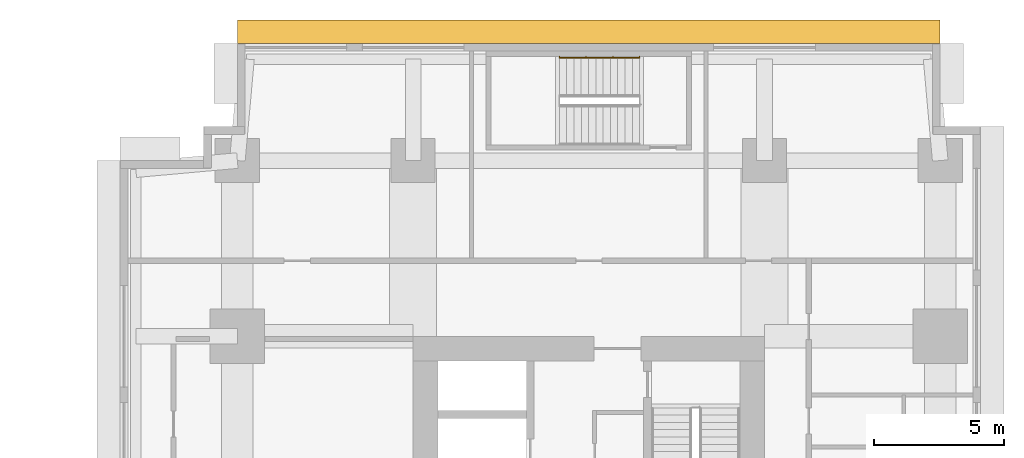
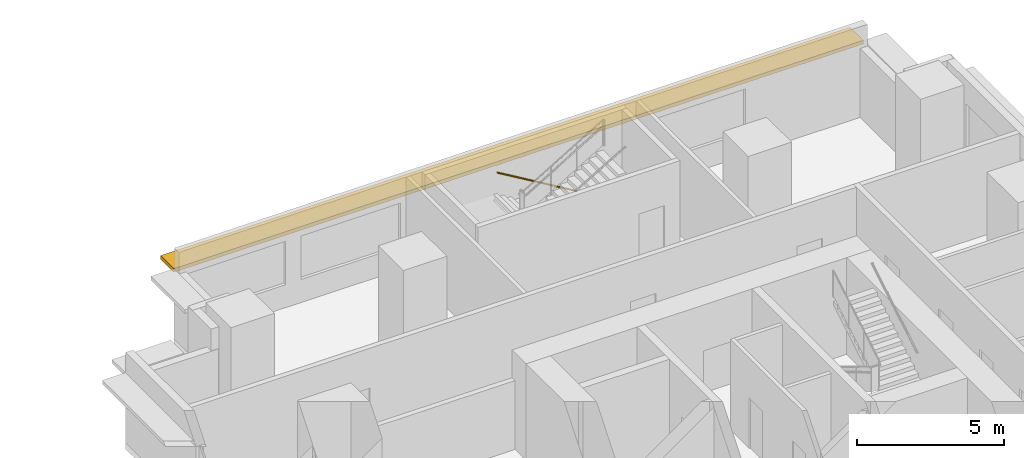
# One storey, part 11 of 11: 1 railing, 1 shading device.
"""IFC4 building model written with IfcOpenShell, lengths in metres."""

import ifcopenshell
import ifcopenshell.guid

model = None  # the IFC model being written
_history = None  # IfcOwnerHistory: only IFC2X3 demands one
_inside = {}  # id of a spatial element -> (the spatial element, [elements in it])
_under = {}  # id of a project, library or spatial element -> (it, [spatial elements below it])
_declared = {}  # id of a project -> (the project, [libraries it declares])
_typed = {}  # id of a type object -> (the type object, [elements of that type])
_made_of = {}  # id of a material, layer set ... -> (it, [elements and type objects made of it])


def new_model(schema):
    """Start an empty IFC model of exactly this schema.

    Asked for "IFC4X3", IfcOpenShell would pick the latest addendum, in which some entities
    have other attributes; the version numbers below select the first issue.
    IFC2X3 requires an IfcOwnerHistory on every rooted entity: one is made here for all.
    """
    global model, _history
    if schema == "IFC4X3":
        model = ifcopenshell.file(schema_version=(4, 3, 0, 0))
    else:
        model = ifcopenshell.file(schema=schema)
    _inside.clear()
    _under.clear()
    _declared.clear()
    _typed.clear()
    _made_of.clear()
    _history = None
    if model.schema == "IFC2X3":
        org = make("IfcOrganization", Name="unknown")
        user = make(
            "IfcPersonAndOrganization",
            ThePerson=make("IfcPerson", FamilyName="unknown"),
            TheOrganization=org,
        )
        app = make(
            "IfcApplication",
            ApplicationDeveloper=org,
            Version="unknown",
            ApplicationFullName="unknown",
            ApplicationIdentifier="unknown",
        )
        _history = make(
            "IfcOwnerHistory",
            OwningUser=user,
            OwningApplication=app,
            ChangeAction="ADDED",
            CreationDate=0,
        )
    return model


def make(cls, **values):
    """One entity of the class cls with the attributes given. An attribute that is None is left unset."""
    return model.create_entity(
        cls, **{name: value for name, value in values.items() if value is not None}
    )


def rooted(cls, **values):
    """An entity with a GlobalId (a new one), such as an element, a storey or a relation."""
    return make(cls, GlobalId=ifcopenshell.guid.new(), OwnerHistory=_history, **values)


def si_unit(unit_type, name, prefix=None):
    """IfcSIUnit, for example si_unit("LENGTHUNIT", "METRE", prefix="MILLI")."""
    return make("IfcSIUnit", UnitType=unit_type, Prefix=prefix, Name=name)


def assignment(units):
    """IfcUnitAssignment: the units of a project."""
    return None if units is None else make("IfcUnitAssignment", Units=units)


def point(xyz):
    """IfcCartesianPoint."""
    return None if xyz is None else make("IfcCartesianPoint", Coordinates=xyz)


def direction(xyz):
    """IfcDirection."""
    return None if xyz is None else make("IfcDirection", DirectionRatios=xyz)


def frame(location, z_axis=None, x_axis=None):
    """IfcAxis2Placement3D, a coordinate frame: its origin and axes. An axis left out is left unset."""
    return make(
        "IfcAxis2Placement3D",
        Location=point(location),
        Axis=direction(z_axis),
        RefDirection=direction(x_axis),
    )


def frame_2d(location, x_axis=None):
    """IfcAxis2Placement2D, a coordinate frame in the plane: its origin and x axis."""
    return make(
        "IfcAxis2Placement2D", Location=point(location), RefDirection=direction(x_axis)
    )


def origin():
    """The frame at (0, 0, 0) with its axes left unset."""
    return frame((0.0, 0.0, 0.0))


def origin_2d():
    """The frame at (0, 0) in the plane with its x axis left unset."""
    return frame_2d((0.0, 0.0))


def place(relative_to, where):
    """IfcLocalPlacement: puts the frame where relative to a parent placement (None: the world)."""
    return make(
        "IfcLocalPlacement", PlacementRelTo=relative_to, RelativePlacement=where
    )


def context(
    kind, dimensions, precision=None, world=None, true_north=None, identifier=None
):
    """IfcGeometricRepresentationContext, for example the 3D "Model" context."""
    return make(
        "IfcGeometricRepresentationContext",
        ContextIdentifier=identifier,
        ContextType=kind,
        CoordinateSpaceDimension=dimensions,
        Precision=precision,
        WorldCoordinateSystem=world,
        TrueNorth=true_north,
    )


def subcontext(parent, identifier, kind, view, scale=None):
    """IfcGeometricRepresentationSubContext, for example "Body" below "Model"."""
    return make(
        "IfcGeometricRepresentationSubContext",
        ContextIdentifier=identifier,
        ContextType=kind,
        ParentContext=parent,
        TargetScale=scale,
        TargetView=view,
    )


def project(units=None, contexts=None):
    """IfcProject with its units and contexts."""
    return rooted(
        "IfcProject",
        Name="project",
        RepresentationContexts=contexts,
        UnitsInContext=assignment(units),
    )


def spatial(cls, under=None, at=None, **own):
    """A site, building, storey or space (cls), placed at a placement, below another one or the project."""
    s = rooted(cls, ObjectPlacement=at, **own)
    if under is not None:
        _under.setdefault(under.id(), (under, []))[1].append(s)
    return s


def profile(cls, at=None, kind="AREA", **sizes):
    """A parametric profile (cls). Its sizes go by their IFC names, for example OverallWidth=200.0."""
    return make(cls, ProfileType=kind, Position=at, **sizes)


def rectangle(**sizes):
    """IfcRectangleProfileDef."""
    return profile("IfcRectangleProfileDef", **sizes)


def circle(**sizes):
    """IfcCircleProfileDef."""
    return profile("IfcCircleProfileDef", **sizes)


def extrude(swept, where, along, depth):
    """IfcExtrudedAreaSolid: the profile swept, set in the frame where, extruded along a direction by depth."""
    return make(
        "IfcExtrudedAreaSolid",
        SweptArea=swept,
        Position=where,
        ExtrudedDirection=direction(along),
        Depth=depth,
    )


def shape(context_of_items, identifier, shape_type, items):
    """IfcShapeRepresentation: the items that make up one representation, for example the "Body"."""
    return make(
        "IfcShapeRepresentation",
        ContextOfItems=context_of_items,
        RepresentationIdentifier=identifier,
        RepresentationType=shape_type,
        Items=items,
    )


def material(Name=None, Category=None):
    """IfcMaterial."""
    return make("IfcMaterial", Name=Name, Category=Category)


def layer(
    of_material, thickness, ventilated=None, Name=None, Category=None, Priority=None
):
    """IfcMaterialLayer: one layer of a wall or slab, of a material (None: an air gap)."""
    return make(
        "IfcMaterialLayer",
        Material=of_material,
        LayerThickness=thickness,
        IsVentilated=ventilated,
        Name=Name,
        Category=Category,
        Priority=Priority,
    )


def layer_set(layers, Name=None):
    """IfcMaterialLayerSet."""
    return make("IfcMaterialLayerSet", MaterialLayers=layers, LayerSetName=Name)


def made_of(thing, what):
    """Note that an element or type object is made of a material, layer set ...; save() writes the relation."""
    if what is not None:
        _made_of.setdefault(what.id(), (what, []))[1].append(thing)
    return thing


def type_object(cls, material=None, **own):
    """A type object (cls), such as IfcWallType, which elements share."""
    return made_of(rooted(cls, **own), material)


def element(
    cls,
    number,
    at=None,
    inside=None,
    cuts=None,
    type_object=None,
    material=None,
    context=None,
    identifier="Body",
    shape_type=None,
    held_by="IfcProductDefinitionShape",
    body=None,
    shapes=None,
    **own,
):
    """One element of the class cls, such as IfcWall. Its Tag is "e" and its number.

    at: its placement. inside: the storey or other place that contains it. cuts: it is an
    opening in that element (IfcRelVoidsElement). A single representation is given by context,
    identifier, shape_type and body (its items); several are given by shapes. held_by: the class
    of the entity that holds the representations. save() writes the other relations.
    """
    e = rooted(cls, Tag="e%d" % number, ObjectPlacement=at, **own)
    if body is not None:
        shapes = [shape(context, identifier, shape_type, body)]
    if shapes is not None:
        e.Representation = make(held_by, Representations=shapes)
    if inside is not None:
        _inside.setdefault(inside.id(), (inside, []))[1].append(e)
    if cuts is not None:
        rooted(
            "IfcRelVoidsElement", RelatingBuildingElement=cuts, RelatedOpeningElement=e
        )
    if type_object is not None:
        _typed.setdefault(type_object.id(), (type_object, []))[1].append(e)
    return made_of(e, material)


def aggregate(whole, parts):
    """IfcRelAggregates: a whole, such as a stair, and the parts it consists of."""
    return rooted("IfcRelAggregates", RelatingObject=whole, RelatedObjects=parts)


def save(model, path):
    """Write the relations noted so far, then the file.

    IfcRelAggregates (storeys below a building ...), IfcRelContainedInSpatialStructure (elements
    in a storey), IfcRelDefinesByType, IfcRelAssociatesMaterial and IfcRelDeclares: one each for
    every whole, place, type object, material and project.
    """
    for whole, parts in _under.values():
        aggregate(whole, parts)
    for where, things in _inside.values():
        rooted(
            "IfcRelContainedInSpatialStructure",
            RelatedElements=things,
            RelatingStructure=where,
        )
    for kind, things in _typed.values():
        rooted("IfcRelDefinesByType", RelatedObjects=things, RelatingType=kind)
    for what, things in _made_of.values():
        rooted("IfcRelAssociatesMaterial", RelatedObjects=things, RelatingMaterial=what)
    for by, libraries in _declared.values():
        rooted("IfcRelDeclares", RelatingContext=by, RelatedDefinitions=libraries)
    model.write(path)


model = new_model("IFC4")

# Units and contexts
model_context = context("Model", 3, precision=1e-05, world=origin(), true_north=direction((0.0, 1.0)))
body_context = subcontext(model_context, "Body", "Model", "MODEL_VIEW")
ifc_project = project(units=[si_unit("LENGTHUNIT", "METRE"), si_unit("AREAUNIT", "SQUARE_METRE"), si_unit("VOLUMEUNIT", "CUBIC_METRE"), si_unit("PLANEANGLEUNIT", "RADIAN"), si_unit("MASSUNIT", "GRAM", prefix="KILO")], contexts=[model_context])

# Site, building, storey
site_placement = place(None, origin())
site = spatial("IfcSite", under=ifc_project, at=site_placement, CompositionType="ELEMENT")
building_placement = place(site_placement, origin())
building = spatial("IfcBuilding", under=site, at=building_placement, Name="Namib Vertical Campus", CompositionType="ELEMENT")
storey_placement = place(building_placement, frame((0.0, 0.0, 97.0)))
storey = spatial("IfcBuildingStorey", under=building, at=storey_placement, Name="L22", CompositionType="ELEMENT", Elevation=97.0)

# Railing
ifc_material_1 = material(Name="Steel handrail", Category="steel")
railing_type = type_object("IfcRailingType", Name="Handrail 900", PredefinedType="HANDRAIL", material=ifc_material_1)
railing_placement = place(storey_placement, frame((82.949951171875, 39.949951171875, 0.166748046875)))
element("IfcRailing", 1, at=railing_placement, inside=storey, type_object=railing_type, Name="Handrail HR1 B-S3 L22 1", PredefinedType="HANDRAIL", context=body_context, shape_type="SweptSolid", body=[
    extrude(circle(Radius=0.02392578125, at=origin_2d()), frame((0.0, 0.0, 0.8759765625), z_axis=(-0.859290745958, 0.0, 0.51148745235), x_axis=(0.0, -1.0, 0.0)), (0.0, 0.0, 1.0), 3.584228515625),
    extrude(circle(Radius=0.008056640625, at=origin_2d()), frame((0.0, 0.0, 0.8759765625), z_axis=(0.0, 1.0, 0.0), x_axis=(0.0, 0.0, 1.0)), (0.0, 0.0, 1.0), 0.050048828125),
    extrude(circle(Radius=0.008056640625, at=origin_2d()), frame((-1.026611328125, 0.0, 1.48681640625), z_axis=(0.0, 1.0, 0.0), x_axis=(0.0, 0.0, 1.0)), (0.0, 0.0, 1.0), 0.050048828125),
    extrude(circle(Radius=0.008056640625, at=origin_2d()), frame((-2.05322265625, 0.0, 2.09814453125), z_axis=(0.0, 1.0, 0.0), x_axis=(0.0, 0.0, 1.0)), (0.0, 0.0, 1.0), 0.050048828125),
    extrude(circle(Radius=0.008056640625, at=origin_2d()), frame((-3.079833984375, 0.0, 2.708984375), z_axis=(0.0, 1.0, 0.0), x_axis=(0.0, 0.0, 1.0)), (0.0, 0.0, 1.0), 0.050048828125),
])

# Shading device
ifc_material_2 = material(Name="Concrete C40/50 precast", Category="concrete")
ifc_layer = layer(ifc_material_2, 0.14990234375)
ifc_layer_set = layer_set([ifc_layer], Name="Concrete C40/50 precast")
shading_device_type = type_object("IfcShadingDeviceType", Name="Sunshade hood 900", PredefinedType="SHUTTER", material=ifc_layer_set)
shading_device_placement = place(storey_placement, frame((81.0, 40.949951171875, 2.75), z_axis=(0.0, 0.0, 1.0), x_axis=(-1.0, 0.0, 0.0)))
element("IfcShadingDevice", 2, at=shading_device_placement, inside=storey, type_object=shading_device_type, Name="Sunshade SH1 L22 7", PredefinedType="SHUTTER", context=body_context, shape_type="SweptSolid", body=[
    extrude(rectangle(XDim=27.0, YDim=0.89990234375, at=origin_2d()), origin(), (0.0, 0.0, 1.0), 0.14990234375),
])

save(model, "model.ifc")
